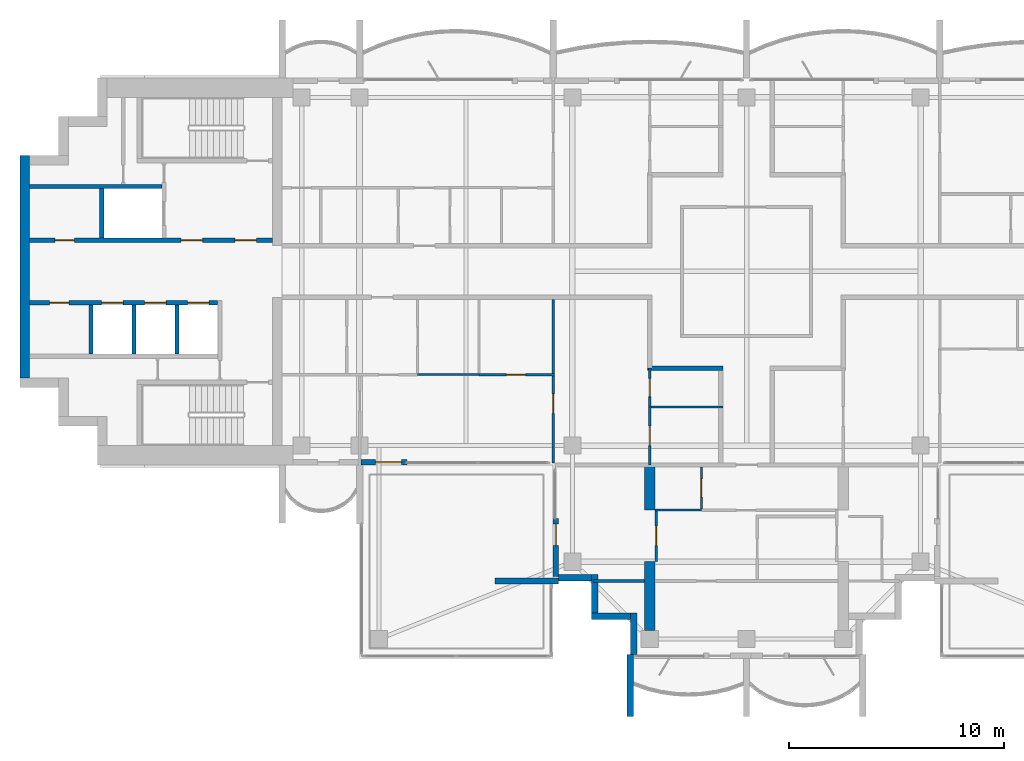
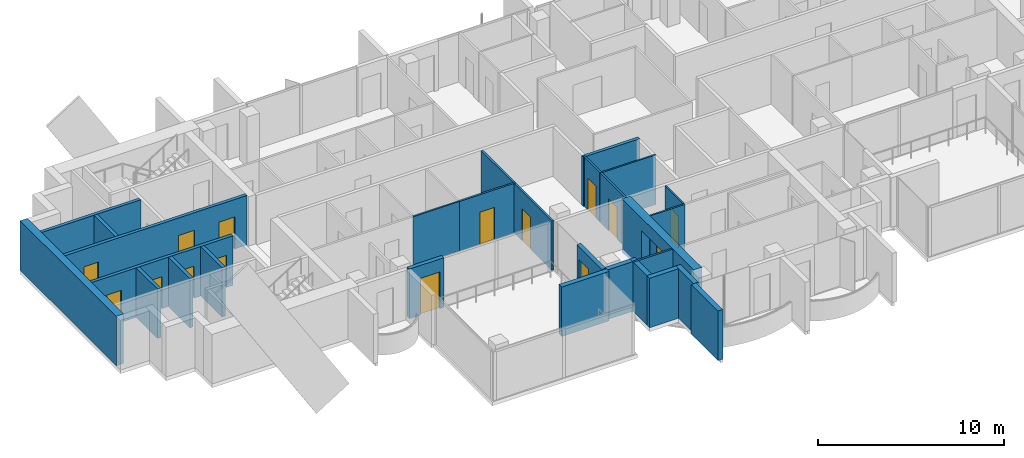
# One storey, part 7 of 16: 28 walls, 15 doors, 15 openings.
"""IFC4 building model written with IfcOpenShell, lengths in metres."""

from ifc_helpers import new_model, si_unit, direction, frame, frame_2d, origin, place, context, subcontext, project, spatial, polyline, rectangle, outline, extrude, material, layer, layer_set, material_profile, profile_set, type_object, element, fill, save


model = new_model("IFC4")

# Units and contexts
model_context = context("Model", 3, precision=1e-05, world=origin(), true_north=direction((0.0, 1.0)))
body_context = subcontext(model_context, "Body", "Model", "MODEL_VIEW")
ifc_project = project(units=[si_unit("LENGTHUNIT", "METRE"), si_unit("AREAUNIT", "SQUARE_METRE"), si_unit("VOLUMEUNIT", "CUBIC_METRE"), si_unit("PLANEANGLEUNIT", "RADIAN"), si_unit("MASSUNIT", "GRAM", prefix="KILO")], contexts=[model_context])

# Site, building, storey
site_placement = place(None, origin())
site = spatial("IfcSite", under=ifc_project, at=site_placement, CompositionType="ELEMENT")
building_placement = place(site_placement, origin())
building = spatial("IfcBuilding", under=site, at=building_placement, Name="Perihelion Cross Residences", CompositionType="ELEMENT")
storey_placement = place(building_placement, frame((0.0, 0.0, 260.5)))
storey = spatial("IfcBuildingStorey", under=building, at=storey_placement, Name="L66", CompositionType="ELEMENT", Elevation=260.5)

# Wall
ifc_material_1 = material(Name="Plasterboard partition")
ifc_layer_1 = layer(ifc_material_1, 0.199951171875)
ifc_layer_set_1 = layer_set([ifc_layer_1], Name="Apartment separation wall 200")
wall_type_1 = type_object("IfcWallType", Name="Apartment separation wall 200", PredefinedType="PARTITIONING", material=ifc_layer_set_1)
wall_1_placement = place(storey_placement, frame((-1.10009765625, -4.5, 0.0), z_axis=(0.0, 0.0, 1.0), x_axis=(-1.0, 0.0, 0.0)))
element("IfcWall", 1, at=wall_1_placement, inside=storey, type_object=wall_type_1, Name="Partition L66 W020", PredefinedType="PARTITIONING", context=body_context, shape_type="SweptSolid", body=[
    extrude(rectangle(XDim=3.5, YDim=0.199951171875, at=frame_2d((1.75, 0.0))), origin(), (0.0, 0.0, 1.0), 3.25),
])

# Wall, opening, door
ifc_material_2 = material(Name="Concrete C30/37, bronze-clad", Category="concrete")
ifc_layer_2 = layer(ifc_material_2, 0.25)
ifc_layer_set_2 = layer_set([ifc_layer_2], Name="Bronze-clad pier wall 250")
wall_type_2 = type_object("IfcWallType", Name="Bronze-clad pier wall 250", PredefinedType="SOLIDWALL", material=ifc_layer_set_2)
wall_2_placement = place(storey_placement, frame((-17.93994140625, -8.875, 0.0), z_axis=(0.0, 0.0, 1.0), x_axis=(1.0, 0.0, 0.0)))
wall_2 = element("IfcWall", 2, at=wall_2_placement, inside=storey, type_object=wall_type_2, Name="Wall FW1 L66 west side south bay 2 pier", PredefinedType="SOLIDWALL", context=body_context, shape_type="SweptSolid", body=[
    extrude(rectangle(XDim=2.139892578125, YDim=0.25, at=frame_2d((1.06982421875, 0.0))), origin(), (0.0, 0.0, 1.0), 3.25),
])
opening_1_placement = place(wall_2_placement, frame((0.68994140625, 0.0, 0.0)))
opening_1 = element("IfcOpeningElement", 3, at=opening_1_placement, cuts=wall_2, Name="Opening L66.E08", PredefinedType="OPENING", context=body_context, shape_type="SweptSolid", body=[
    extrude(rectangle(XDim=1.199951171875, YDim=2.39990234375, at=frame_2d((0.60009765625, 1.199951171875))), frame((0.0, 0.135009765625, 0.0), z_axis=(0.0, -1.0, 0.0), x_axis=(1.0, 0.0, 0.0)), (0.0, 0.0, 1.0), 0.27001953125),
])
ifc_material_3 = material(Name="Bronze anodised aluminium, glazed", Category="aluminium")
door_type_1 = type_object("IfcDoorType", Name="Balcony door 1200 x 2400", OperationType="NOTDEFINED", PredefinedType="DOOR", material=ifc_material_3)
door_1_placement = place(opening_1_placement, origin())
door_1 = element("IfcDoor", 4, at=door_1_placement, inside=storey, type_object=door_type_1, Name="Door L66.E08 west side south bay 2", OperationType="SINGLE_SWING_RIGHT", OverallHeight=2.39990234375, OverallWidth=1.199951171875, PredefinedType="DOOR", context=body_context, shape_type="SweptSolid", body=[
    extrude(rectangle(XDim=1.199951171875, YDim=2.39990234375, at=frame_2d((0.60009765625, 1.199951171875))), frame((0.0, 0.02490234375, 0.0), z_axis=(0.0, -1.0, 0.0), x_axis=(1.0, 0.0, 0.0)), (0.0, 0.0, 1.0), 0.050048828125),
])
fill(opening_1, door_1)

wall_3_placement = place(storey_placement, frame((-8.875, -11.5, 0.0), z_axis=(0.0, 0.0, 1.0), x_axis=(0.0, -1.0, 0.0)))
wall_3 = element("IfcWall", 5, at=wall_3_placement, inside=storey, type_object=wall_type_2, Name="Wall FW1 L66 south side west bay 1 pier", PredefinedType="SOLIDWALL", context=body_context, shape_type="SweptSolid", body=[
    extrude(rectangle(XDim=2.699951171875, YDim=0.25, at=frame_2d((1.35009765625, 0.0))), origin(), (0.0, 0.0, 1.0), 3.25),
])
opening_2_placement = place(wall_3_placement, frame((0.25, 0.0, 0.0)))
opening_2 = element("IfcOpeningElement", 6, at=opening_2_placement, cuts=wall_3, Name="Opening L66.E09", PredefinedType="OPENING", context=body_context, shape_type="SweptSolid", body=[
    extrude(rectangle(XDim=1.0, YDim=2.39990234375, at=frame_2d((0.5, 1.199951171875))), frame((0.0, 0.135009765625, 0.0), z_axis=(0.0, -1.0, 0.0), x_axis=(1.0, 0.0, 0.0)), (0.0, 0.0, 1.0), 0.27001953125),
])
ifc_material_4 = material(Name="Bronze anodised aluminium, glazed", Category="aluminium")
door_type_2 = type_object("IfcDoorType", Name="Balcony door 1000 x 2400", OperationType="NOTDEFINED", PredefinedType="DOOR", material=ifc_material_4)
door_2_placement = place(opening_2_placement, origin())
door_2 = element("IfcDoor", 7, at=door_2_placement, inside=storey, type_object=door_type_2, Name="Door L66.E09 south side west bay 1", OperationType="SINGLE_SWING_LEFT", OverallHeight=2.39990234375, OverallWidth=1.0, PredefinedType="DOOR", context=body_context, shape_type="SweptSolid", body=[
    extrude(rectangle(XDim=1.0, YDim=2.39990234375, at=frame_2d((0.5, 1.199951171875))), frame((0.0, 0.02490234375, 0.0), z_axis=(0.0, -1.0, 0.0), x_axis=(1.0, 0.0, 0.0)), (0.0, 0.0, 1.0), 0.050048828125),
])
fill(opening_2, door_2)

# Walls
ifc_material_5 = material(Name="Concrete C30/37, bronze-clad", Category="concrete")
ifc_layer_3 = layer(ifc_material_5, 0.300048828125)
ifc_layer_set_3 = layer_set([ifc_layer_3], Name="Bronze-clad serration wall 300")
wall_type_3 = type_object("IfcWallType", Name="Bronze-clad serration wall 300", PredefinedType="SOLIDWALL", material=ifc_layer_set_3)
wall_4_placement = place(storey_placement, frame((-8.75, -14.25, 0.0), z_axis=(0.0, 0.0, 1.0), x_axis=(1.0, 0.0, 0.0)))
element("IfcWall", 8, at=wall_4_placement, inside=storey, type_object=wall_type_3, Name="Wall SR1 L66 south corner south-west 1", PredefinedType="SOLIDWALL", context=body_context, shape_type="SweptSolid", body=[
    extrude(rectangle(XDim=1.550048828125, YDim=0.300048828125, at=frame_2d((0.77490234375, 0.0))), origin(), (0.0, 0.0, 1.0), 3.25),
])
wall_5_placement = place(storey_placement, frame((-7.050048828125, -14.10009765625, 0.0), z_axis=(0.0, 0.0, 1.0), x_axis=(0.0, -1.0, 0.0)))
element("IfcWall", 9, at=wall_5_placement, inside=storey, type_object=wall_type_3, Name="Wall SR1 L66 south corner south-west 2", PredefinedType="SOLIDWALL", context=body_context, shape_type="SweptSolid", body=[
    extrude(rectangle(XDim=1.7998046875, YDim=0.300048828125, at=frame_2d((0.89990234375, 0.0))), origin(), (0.0, 0.0, 1.0), 3.25),
])
wall_6_placement = place(storey_placement, frame((-7.199951171875, -16.050048828125, 0.0), z_axis=(0.0, 0.0, 1.0), x_axis=(1.0, 0.0, 0.0)))
element("IfcWall", 10, at=wall_6_placement, inside=storey, type_object=wall_type_3, Name="Wall SR1 L66 south corner south-west 3", PredefinedType="SOLIDWALL", context=body_context, shape_type="SweptSolid", body=[
    extrude(rectangle(XDim=1.800048828125, YDim=0.300048828125, at=frame_2d((0.89990234375, 0.0))), origin(), (0.0, 0.0, 1.0), 3.25),
])
wall_7_placement = place(storey_placement, frame((-5.25, -15.89990234375, 0.0), z_axis=(0.0, 0.0, 1.0), x_axis=(0.0, -1.0, 0.0)))
element("IfcWall", 11, at=wall_7_placement, inside=storey, type_object=wall_type_3, Name="Wall SR1 L66 south corner south-west 4", PredefinedType="SOLIDWALL", context=body_context, shape_type="SweptSolid", body=[
    extrude(rectangle(XDim=1.920166015625, YDim=0.300048828125, at=frame_2d((0.9599609375, 0.0))), origin(), (0.0, 0.0, 1.0), 3.25),
])
ifc_material_6 = material(Name="Concrete C60/75", Category="concrete")
ifc_layer_4 = layer(ifc_material_6, 0.449951171875)
ifc_layer_set_4 = layer_set([ifc_layer_4], Name="Core wall, outer 450")
wall_type_4 = type_object("IfcWallType", Name="Core wall, outer 450", PredefinedType="SHEAR", material=ifc_layer_set_4)
wall_8_placement = place(storey_placement, frame((-33.574951171875, -4.949951171875, 0.0), z_axis=(0.0, 0.0, 1.0), x_axis=(0.0, 1.0, 0.0)))
element("IfcWall", 12, at=wall_8_placement, inside=storey, type_object=wall_type_4, Name="West core core wall, outer", PredefinedType="SHEAR", context=body_context, shape_type="SweptSolid", body=[
    extrude(rectangle(XDim=10.349853515625, YDim=0.449951171875, at=frame_2d((5.1748046875, 0.0))), origin(), (0.0, 0.0, 1.0), 3.25),
])

# Wall, opening, door
ifc_material_7 = material(Name="Plasterboard partition")
ifc_layer_5 = layer(ifc_material_7, 0.1201171875)
ifc_layer_set_5 = layer_set([ifc_layer_5], Name="Infill panel 120")
wall_type_5 = type_object("IfcWallType", Name="Infill panel 120", PredefinedType="PARTITIONING", material=ifc_layer_set_5)
wall_9_placement = place(storey_placement, frame((-4.18994140625, -11.10009765625, 0.0), z_axis=(0.0, 0.0, 1.0), x_axis=(0.0, -1.0, 0.0)))
wall_9 = element("IfcWall", 13, at=wall_9_placement, inside=storey, type_object=wall_type_5, Name="Partition L66 WI02", PredefinedType="PARTITIONING", context=body_context, shape_type="SweptSolid", body=[
    extrude(rectangle(XDim=2.39990234375, YDim=0.1201171875, at=frame_2d((1.199951171875, 0.0))), origin(), (0.0, 0.0, 1.0), 2.39990234375),
])
opening_3_placement = place(wall_9_placement, frame((0.75, 0.0, 0.0)))
opening_3 = element("IfcOpeningElement", 14, at=opening_3_placement, cuts=wall_9, Name="Opening L66.A45", PredefinedType="OPENING", context=body_context, shape_type="SweptSolid", body=[
    extrude(rectangle(XDim=0.89990234375, YDim=2.10009765625, at=frame_2d((0.449951171875, 1.050048828125))), frame((0.0, 0.070068359375, 0.0), z_axis=(0.0, -1.0, 0.0), x_axis=(1.0, 0.0, 0.0)), (0.0, 0.0, 1.0), 0.14013671875),
])
ifc_material_8 = material(Name="Timber door leaf", Category="wood")
door_type_3 = type_object("IfcDoorType", Name="Interior room door 900 x 2100", OperationType="SINGLE_SWING_LEFT", PredefinedType="DOOR", material=ifc_material_8)
door_3_placement = place(opening_3_placement, origin())
door_3 = element("IfcDoor", 15, at=door_3_placement, inside=storey, type_object=door_type_3, Name="Door L66.A45", OperationType="SINGLE_SWING_LEFT", OverallHeight=2.10009765625, OverallWidth=0.89990234375, PredefinedType="DOOR", context=body_context, shape_type="SweptSolid", body=[
    extrude(rectangle(XDim=0.89990234375, YDim=2.10009765625, at=frame_2d((0.449951171875, 1.050048828125))), frame((0.0, 0.02490234375, 0.0), z_axis=(0.0, -1.0, 0.0), x_axis=(1.0, 0.0, 0.0)), (0.0, 0.0, 1.0), 0.050048828125),
])
fill(opening_3, door_3)

ifc_material_9 = material(Name="Plasterboard partition")
ifc_layer_6 = layer(ifc_material_9, 0.1201171875)
ifc_layer_set_6 = layer_set([ifc_layer_6], Name="Partition wall 120")
wall_type_6 = type_object("IfcWallType", Name="Partition wall 120", PredefinedType="PARTITIONING", material=ifc_layer_set_6)
wall_10_placement = place(storey_placement, frame((-8.93994140625, -4.800048828125, 0.0), z_axis=(0.0, 0.0, 1.0), x_axis=(-1.0, 0.0, 0.0)))
wall_10 = element("IfcWall", 16, at=wall_10_placement, inside=storey, type_object=wall_type_6, Name="Partition L66 W055", PredefinedType="PARTITIONING", context=body_context, shape_type="SweptSolid", body=[
    extrude(rectangle(XDim=3.510009765625, YDim=0.1201171875, at=frame_2d((1.7548828125, 0.0))), origin(), (0.0, 0.0, 1.0), 3.25),
])
opening_4_placement = place(wall_10_placement, frame((1.3349609375, 0.0, 0.0)))
opening_4 = element("IfcOpeningElement", 17, at=opening_4_placement, cuts=wall_10, Name="Opening L66.A33", PredefinedType="OPENING", context=body_context, shape_type="SweptSolid", body=[
    extrude(rectangle(XDim=0.89990234375, YDim=2.10009765625, at=frame_2d((0.449951171875, 1.050048828125))), frame((0.0, 0.070068359375, 0.0), z_axis=(0.0, -1.0, 0.0), x_axis=(1.0, 0.0, 0.0)), (0.0, 0.0, 1.0), 0.14013671875),
])
door_4_placement = place(opening_4_placement, origin())
door_4 = element("IfcDoor", 18, at=door_4_placement, inside=storey, type_object=door_type_3, Name="Door L66.A33", OperationType="SINGLE_SWING_RIGHT", OverallHeight=2.10009765625, OverallWidth=0.89990234375, PredefinedType="DOOR", context=body_context, shape_type="SweptSolid", body=[
    extrude(rectangle(XDim=0.89990234375, YDim=2.10009765625, at=frame_2d((0.449951171875, 1.050048828125))), frame((0.0, 0.02490234375, 0.0), z_axis=(0.0, -1.0, 0.0), x_axis=(1.0, 0.0, 0.0)), (0.0, 0.0, 1.0), 0.050048828125),
])
fill(opening_4, door_4)

wall_11_placement = place(storey_placement, frame((-9.0, -1.300048828125, 0.0), z_axis=(0.0, 0.0, 1.0), x_axis=(0.0, -1.0, 0.0)))
wall_11 = element("IfcWall", 19, at=wall_11_placement, inside=storey, type_object=wall_type_6, Name="Partition L66 W056", PredefinedType="PARTITIONING", context=body_context, shape_type="SweptSolid", body=[
    extrude(rectangle(XDim=7.619873046875, YDim=0.1201171875, at=frame_2d((3.81005859375, 0.0))), origin(), (0.0, 0.0, 1.0), 3.25),
])
opening_5_placement = place(wall_11_placement, frame((4.39990234375, 0.0, 0.0)))
opening_5 = element("IfcOpeningElement", 20, at=opening_5_placement, cuts=wall_11, Name="Opening L66.A30", PredefinedType="OPENING", context=body_context, shape_type="SweptSolid", body=[
    extrude(rectangle(XDim=0.89990234375, YDim=2.10009765625, at=frame_2d((0.449951171875, 1.050048828125))), frame((0.0, 0.070068359375, 0.0), z_axis=(0.0, -1.0, 0.0), x_axis=(1.0, 0.0, 0.0)), (0.0, 0.0, 1.0), 0.14013671875),
])
door_5_placement = place(opening_5_placement, origin())
door_5 = element("IfcDoor", 21, at=door_5_placement, inside=storey, type_object=door_type_3, Name="Door L66.A30", OperationType="SINGLE_SWING_RIGHT", OverallHeight=2.10009765625, OverallWidth=0.89990234375, PredefinedType="DOOR", context=body_context, shape_type="SweptSolid", body=[
    extrude(rectangle(XDim=0.89990234375, YDim=2.10009765625, at=frame_2d((0.449951171875, 1.050048828125))), frame((0.0, 0.02490234375, 0.0), z_axis=(0.0, -1.0, 0.0), x_axis=(1.0, 0.0, 0.0)), (0.0, 0.0, 1.0), 0.050048828125),
])
fill(opening_5, door_5)

wall_12_placement = place(storey_placement, frame((-4.5, -6.300048828125, 0.0), z_axis=(0.0, 0.0, 1.0), x_axis=(0.0, -1.0, 0.0)))
wall_12 = element("IfcWall", 22, at=wall_12_placement, inside=storey, type_object=wall_type_6, Name="Partition L66 W063", PredefinedType="PARTITIONING", context=body_context, shape_type="SweptSolid", body=[
    extrude(rectangle(XDim=2.699951171875, YDim=0.1201171875, at=frame_2d((1.35009765625, 0.0))), origin(), (0.0, 0.0, 1.0), 3.25),
])
opening_6_placement = place(wall_12_placement, frame((0.89990234375, 0.0, 0.0)))
opening_6 = element("IfcOpeningElement", 23, at=opening_6_placement, cuts=wall_12, Name="Opening L66.A31", PredefinedType="OPENING", context=body_context, shape_type="SweptSolid", body=[
    extrude(rectangle(XDim=0.89990234375, YDim=2.10009765625, at=frame_2d((0.449951171875, 1.050048828125))), frame((0.0, 0.070068359375, 0.0), z_axis=(0.0, -1.0, 0.0), x_axis=(1.0, 0.0, 0.0)), (0.0, 0.0, 1.0), 0.14013671875),
])
door_6_placement = place(opening_6_placement, origin())
door_6 = element("IfcDoor", 24, at=door_6_placement, inside=storey, type_object=door_type_3, Name="Door L66.A31", OperationType="SINGLE_SWING_RIGHT", OverallHeight=2.10009765625, OverallWidth=0.89990234375, PredefinedType="DOOR", context=body_context, shape_type="SweptSolid", body=[
    extrude(rectangle(XDim=0.89990234375, YDim=2.10009765625, at=frame_2d((0.449951171875, 1.050048828125))), frame((0.0, 0.02490234375, 0.0), z_axis=(0.0, -1.0, 0.0), x_axis=(1.0, 0.0, 0.0)), (0.0, 0.0, 1.0), 0.050048828125),
])
fill(opening_6, door_6)

# Walls
wall_13_placement = place(storey_placement, frame((-4.75, -14.39990234375, 0.0), z_axis=(0.0, 0.0, 1.0), x_axis=(-1.0, 0.0, 0.0)))
element("IfcWall", 25, at=wall_13_placement, inside=storey, type_object=wall_type_6, Name="Partition L66 W075", PredefinedType="PARTITIONING", context=body_context, shape_type="SweptSolid", body=[
    extrude(rectangle(XDim=2.3701171875, YDim=0.1201171875, at=frame_2d((1.18505859375, 0.0))), origin(), (0.0, 0.0, 1.0), 3.25),
])
ifc_material_10 = material(Name="Precast concrete C50/60", Category="concrete")
ifc_layer_7 = layer(ifc_material_10, 0.300048828125)
ifc_layer_set_7 = layer_set([ifc_layer_7], Name="Precast concrete C50/60 blade wall 300")
wall_type_7 = type_object("IfcWallType", Name="Precast concrete C50/60 blade wall 300", PredefinedType="SOLIDWALL", material=ifc_layer_set_7)
wall_14_placement = place(storey_placement, frame((-8.75, -14.39990234375, 0.0), z_axis=(0.0, 0.0, 1.0), x_axis=(-1.0, 0.0, 0.0)))
element("IfcWall", 26, at=wall_14_placement, inside=storey, type_object=wall_type_7, Name="Wall BL1 L66 no. 6", PredefinedType="SOLIDWALL", context=body_context, shape_type="SweptSolid", body=[
    extrude(rectangle(XDim=2.949951171875, YDim=0.300048828125, at=frame_2d((1.47509765625, 0.0))), origin(), (0.0, 0.0, 1.0), 3.25),
])
wall_15_placement = place(storey_placement, frame((-5.39990234375, -17.820068359375, 0.0), z_axis=(0.0, 0.0, 1.0), x_axis=(0.0, -1.0, 0.0)))
element("IfcWall", 27, at=wall_15_placement, inside=storey, type_object=wall_type_7, Name="Wall BL1 L66 no. 5", PredefinedType="SOLIDWALL", context=body_context, shape_type="SweptSolid", body=[
    extrude(rectangle(XDim=2.8798828125, YDim=0.300048828125, at=frame_2d((1.43994140625, 0.0))), origin(), (0.0, 0.0, 1.0), 3.25),
])

# Wall, openings, doors
ifc_material_11 = material(Name="Concrete C50/60", Category="concrete")
ifc_layer_8 = layer(ifc_material_11, 0.199951171875)
ifc_layer_set_8 = layer_set([ifc_layer_8], Name="Shaft wall 200")
wall_type_8 = type_object("IfcWallType", Name="Shaft wall 200", PredefinedType="SOLIDWALL", material=ifc_layer_set_8)
wall_16_placement = place(storey_placement, frame((-33.35009765625, 1.449951171875, 0.0), z_axis=(0.0, 0.0, 1.0), x_axis=(1.0, 0.0, 0.0)))
wall_16 = element("IfcWall", 28, at=wall_16_placement, inside=storey, type_object=wall_type_8, Name="West core shaft wall", PredefinedType="SOLIDWALL", context=body_context, shape_type="SweptSolid", body=[
    extrude(rectangle(XDim=11.300048828125, YDim=0.199951171875, at=frame_2d((5.64990234375, 0.0))), origin(), (0.0, 0.0, 1.0), 3.25),
])
opening_7_placement = place(wall_16_placement, frame((9.550048828125, 0.0, 0.0)))
opening_7 = element("IfcOpeningElement", 29, at=opening_7_placement, cuts=wall_16, Name="Opening L66.C21", PredefinedType="OPENING", context=body_context, shape_type="SweptSolid", body=[
    extrude(rectangle(XDim=1.0, YDim=2.10009765625, at=frame_2d((0.5, 1.050048828125))), frame((0.0, 0.10986328125, 0.0), z_axis=(0.0, -1.0, 0.0), x_axis=(1.0, 0.0, 0.0)), (0.0, 0.0, 1.0), 0.219970703125),
])
opening_8_placement = place(wall_16_placement, frame((7.050048828125, 0.0, 0.0)))
opening_8 = element("IfcOpeningElement", 30, at=opening_8_placement, cuts=wall_16, Name="Opening L66.C23", PredefinedType="OPENING", context=body_context, shape_type="SweptSolid", body=[
    extrude(rectangle(XDim=1.0, YDim=2.10009765625, at=frame_2d((0.5, 1.050048828125))), frame((0.0, 0.10986328125, 0.0), z_axis=(0.0, -1.0, 0.0), x_axis=(1.0, 0.0, 0.0)), (0.0, 0.0, 1.0), 0.219970703125),
])
opening_9_placement = place(wall_16_placement, frame((1.175048828125, 0.0, 0.0)))
opening_9 = element("IfcOpeningElement", 31, at=opening_9_placement, cuts=wall_16, Name="Opening L66.C27", PredefinedType="OPENING", context=body_context, shape_type="SweptSolid", body=[
    extrude(rectangle(XDim=0.89990234375, YDim=2.10009765625, at=frame_2d((0.449951171875, 1.050048828125))), frame((0.0, 0.10986328125, 0.0), z_axis=(0.0, -1.0, 0.0), x_axis=(1.0, 0.0, 0.0)), (0.0, 0.0, 1.0), 0.219970703125),
])
ifc_material_12 = material(Name="Steel, powder coated", Category="steel")
door_type_4 = type_object("IfcDoorType", Name="Lobby door 1000", OperationType="SINGLE_SWING_LEFT", PredefinedType="DOOR", material=ifc_material_12)
door_7_placement = place(opening_7_placement, origin())
door_7 = element("IfcDoor", 32, at=door_7_placement, inside=storey, type_object=door_type_4, Name="West core firefighting lobby door", OperationType="SINGLE_SWING_LEFT", OverallHeight=2.10009765625, OverallWidth=1.0, PredefinedType="DOOR", context=body_context, shape_type="SweptSolid", body=[
    extrude(rectangle(XDim=1.0, YDim=2.10009765625, at=frame_2d((0.5, 1.050048828125))), frame((0.0, 0.02490234375, 0.0), z_axis=(0.0, -1.0, 0.0), x_axis=(1.0, 0.0, 0.0)), (0.0, 0.0, 1.0), 0.050048828125),
])
fill(opening_7, door_7)
door_8_placement = place(opening_8_placement, origin())
door_8 = element("IfcDoor", 33, at=door_8_placement, inside=storey, type_object=door_type_4, Name="West core firefighting lobby door", OperationType="SINGLE_SWING_LEFT", OverallHeight=2.10009765625, OverallWidth=1.0, PredefinedType="DOOR", context=body_context, shape_type="SweptSolid", body=[
    extrude(rectangle(XDim=1.0, YDim=2.10009765625, at=frame_2d((0.5, 1.050048828125))), frame((0.0, 0.02490234375, 0.0), z_axis=(0.0, -1.0, 0.0), x_axis=(1.0, 0.0, 0.0)), (0.0, 0.0, 1.0), 0.050048828125),
])
fill(opening_8, door_8)
ifc_material_13 = material(Name="Steel, powder coated", Category="steel")
door_type_5 = type_object("IfcDoorType", Name="Service room door 900", OperationType="SINGLE_SWING_LEFT", PredefinedType="DOOR", material=ifc_material_13)
door_9_placement = place(opening_9_placement, origin())
door_9 = element("IfcDoor", 34, at=door_9_placement, inside=storey, type_object=door_type_5, Name="West core service room door", OperationType="SINGLE_SWING_LEFT", OverallHeight=2.10009765625, OverallWidth=0.89990234375, PredefinedType="DOOR", context=body_context, shape_type="SweptSolid", body=[
    extrude(rectangle(XDim=0.89990234375, YDim=2.10009765625, at=frame_2d((0.449951171875, 1.050048828125))), frame((0.0, 0.02490234375, 0.0), z_axis=(0.0, -1.0, 0.0), x_axis=(1.0, 0.0, 0.0)), (0.0, 0.0, 1.0), 0.050048828125),
])
fill(opening_9, door_9)

wall_17_placement = place(storey_placement, frame((-33.35009765625, -1.449951171875, 0.0), z_axis=(0.0, 0.0, 1.0), x_axis=(1.0, 0.0, 0.0)))
wall_17 = element("IfcWall", 35, at=wall_17_placement, inside=storey, type_object=wall_type_8, Name="West core shaft wall", PredefinedType="SOLIDWALL", context=body_context, shape_type="SweptSolid", body=[
    extrude(rectangle(XDim=8.75, YDim=0.199951171875, at=frame_2d((4.375, 0.0))), origin(), (0.0, 0.0, 1.0), 3.25),
])
opening_10_placement = place(wall_17_placement, frame((7.35009765625, 0.0, 0.0)))
opening_10 = element("IfcOpeningElement", 36, at=opening_10_placement, cuts=wall_17, Name="Opening L66.C15", PredefinedType="OPENING", context=body_context, shape_type="SweptSolid", body=[
    extrude(rectangle(XDim=1.0, YDim=2.10009765625, at=frame_2d((0.5, 1.050048828125))), frame((0.0, 0.10986328125, 0.0), z_axis=(0.0, -1.0, 0.0), x_axis=(1.0, 0.0, 0.0)), (0.0, 0.0, 1.0), 0.219970703125),
])
opening_11_placement = place(wall_17_placement, frame((5.35009765625, 0.0, 0.0)))
opening_11 = element("IfcOpeningElement", 37, at=opening_11_placement, cuts=wall_17, Name="Opening L66.C17", PredefinedType="OPENING", context=body_context, shape_type="SweptSolid", body=[
    extrude(rectangle(XDim=1.0, YDim=2.10009765625, at=frame_2d((0.5, 1.050048828125))), frame((0.0, 0.10986328125, 0.0), z_axis=(0.0, -1.0, 0.0), x_axis=(1.0, 0.0, 0.0)), (0.0, 0.0, 1.0), 0.219970703125),
])
opening_12_placement = place(wall_17_placement, frame((3.35009765625, 0.0, 0.0)))
opening_12 = element("IfcOpeningElement", 38, at=opening_12_placement, cuts=wall_17, Name="Opening L66.C18", PredefinedType="OPENING", context=body_context, shape_type="SweptSolid", body=[
    extrude(rectangle(XDim=1.0, YDim=2.10009765625, at=frame_2d((0.5, 1.050048828125))), frame((0.0, 0.10986328125, 0.0), z_axis=(0.0, -1.0, 0.0), x_axis=(1.0, 0.0, 0.0)), (0.0, 0.0, 1.0), 0.219970703125),
])
opening_13_placement = place(wall_17_placement, frame((0.925048828125, 0.0, 0.0)))
opening_13 = element("IfcOpeningElement", 39, at=opening_13_placement, cuts=wall_17, Name="Opening L66.C28", PredefinedType="OPENING", context=body_context, shape_type="SweptSolid", body=[
    extrude(rectangle(XDim=0.89990234375, YDim=2.10009765625, at=frame_2d((0.449951171875, 1.050048828125))), frame((0.0, 0.10986328125, 0.0), z_axis=(0.0, -1.0, 0.0), x_axis=(1.0, 0.0, 0.0)), (0.0, 0.0, 1.0), 0.219970703125),
])
ifc_material_14 = material(Name="Stainless steel", Category="steel")
door_type_6 = type_object("IfcDoorType", Name="Landing door 1000", OperationType="DOUBLE_DOOR_SLIDING", PredefinedType="DOOR", material=ifc_material_14)
door_10_placement = place(opening_10_placement, origin())
door_10 = element("IfcDoor", 40, at=door_10_placement, inside=storey, type_object=door_type_6, Name="Landing door, West core high-rise lift 1", OperationType="DOUBLE_DOOR_SLIDING", OverallHeight=2.10009765625, OverallWidth=1.0, PredefinedType="DOOR", context=body_context, shape_type="SweptSolid", body=[
    extrude(rectangle(XDim=1.0, YDim=2.10009765625, at=frame_2d((0.5, 1.050048828125))), frame((0.0, 0.02490234375, 0.0), z_axis=(0.0, -1.0, 0.0), x_axis=(1.0, 0.0, 0.0)), (0.0, 0.0, 1.0), 0.050048828125),
])
fill(opening_10, door_10)
door_11_placement = place(opening_11_placement, origin())
door_11 = element("IfcDoor", 41, at=door_11_placement, inside=storey, type_object=door_type_6, Name="Landing door, West core high-rise lift 2", OperationType="DOUBLE_DOOR_SLIDING", OverallHeight=2.10009765625, OverallWidth=1.0, PredefinedType="DOOR", context=body_context, shape_type="SweptSolid", body=[
    extrude(rectangle(XDim=1.0, YDim=2.10009765625, at=frame_2d((0.5, 1.050048828125))), frame((0.0, 0.02490234375, 0.0), z_axis=(0.0, -1.0, 0.0), x_axis=(1.0, 0.0, 0.0)), (0.0, 0.0, 1.0), 0.050048828125),
])
fill(opening_11, door_11)
door_12_placement = place(opening_12_placement, origin())
door_12 = element("IfcDoor", 42, at=door_12_placement, inside=storey, type_object=door_type_6, Name="Landing door, West core high-rise lift 3", OperationType="DOUBLE_DOOR_SLIDING", OverallHeight=2.10009765625, OverallWidth=1.0, PredefinedType="DOOR", context=body_context, shape_type="SweptSolid", body=[
    extrude(rectangle(XDim=1.0, YDim=2.10009765625, at=frame_2d((0.5, 1.050048828125))), frame((0.0, 0.02490234375, 0.0), z_axis=(0.0, -1.0, 0.0), x_axis=(1.0, 0.0, 0.0)), (0.0, 0.0, 1.0), 0.050048828125),
])
fill(opening_12, door_12)
door_13_placement = place(opening_13_placement, origin())
door_13 = element("IfcDoor", 43, at=door_13_placement, inside=storey, type_object=door_type_5, Name="West core service room door", OperationType="SINGLE_SWING_LEFT", OverallHeight=2.10009765625, OverallWidth=0.89990234375, PredefinedType="DOOR", context=body_context, shape_type="SweptSolid", body=[
    extrude(rectangle(XDim=0.89990234375, YDim=2.10009765625, at=frame_2d((0.449951171875, 1.050048828125))), frame((0.0, 0.02490234375, 0.0), z_axis=(0.0, -1.0, 0.0), x_axis=(1.0, 0.0, 0.0)), (0.0, 0.0, 1.0), 0.050048828125),
])
fill(opening_13, door_13)

# Walls
wall_18_placement = place(storey_placement, frame((-33.35009765625, 3.949951171875, 0.0), z_axis=(0.0, 0.0, 1.0), x_axis=(1.0, 0.0, 0.0)))
element("IfcWall", 44, at=wall_18_placement, inside=storey, type_object=wall_type_8, Name="West core shaft wall", PredefinedType="SOLIDWALL", context=body_context, shape_type="SweptSolid", body=[
    extrude(rectangle(XDim=6.150146484375, YDim=0.199951171875, at=frame_2d((3.0751953125, 0.0))), origin(), (0.0, 0.0, 1.0), 3.25),
])
for number, where, z_axis, x_axis, name in (
    (45, (-30.0, 1.550048828125, 0.0), (0.0, 0.0, 1.0), (0.0, 1.0, 0.0), "West core shaft wall"),
    (46, (-26.5, -3.85009765625, 0.0), (0.0, 0.0, 1.0), (0.0, 1.0, 0.0), "West core shaft wall"),
    (47, (-28.5, -3.85009765625, 0.0), (0.0, 0.0, 1.0), (0.0, 1.0, 0.0), "West core shaft wall"),
    (48, (-30.5, -3.85009765625, 0.0), (0.0, 0.0, 1.0), (0.0, 1.0, 0.0), "West core shaft wall"),
):
    element("IfcWall", number, at=place(storey_placement, frame(where, z_axis=z_axis, x_axis=x_axis)), inside=storey, type_object=wall_type_8, Name=name, PredefinedType="SOLIDWALL", context=body_context, shape_type="SweptSolid", body=[
        extrude(rectangle(XDim=2.300048828125, YDim=0.199951171875, at=frame_2d((1.14990234375, 0.0))), origin(), (0.0, 0.0, 1.0), 3.25),
    ])
ifc_material_15 = material(Name="Concrete C50/60", Category="concrete")
ifc_material_profile = material_profile(ifc_material_15, outline(polyline([(0.0, 0.0), (3.199951171875, 0.0), (3.199951171875, 2.64990234375), (5.60009765625, 2.64990234375), (5.60009765625, 0.0), (7.699951171875, 0.0), (7.699951171875, 3.5), (0.0, 3.5), (0.0, 0.0)])), Name="Tip spine wall")
ifc_profile_set = profile_set([ifc_material_profile], Name="Concrete C50/60")
wall_type_9 = type_object("IfcWallType", Name="Tip spine wall 500 with 1 door openings 7700 long 3500 high concrete C50/60", PredefinedType="SHEAR", material=ifc_profile_set)
wall_19_placement = place(storey_placement, frame((-4.75, -16.699951171875, -0.25), z_axis=(1.0, 0.0, 0.0), x_axis=(0.0, 1.0, 0.0)))
element("IfcWall", 49, at=wall_19_placement, inside=storey, type_object=wall_type_9, Name="Shear wall SW45 L66 south west", PredefinedType="SHEAR", context=body_context, shape_type="SweptSolid", body=[
    extrude(outline(polyline([(0.0, 0.0), (3.199951171875, 0.0), (3.199951171875, 2.64990234375), (5.60009765625, 2.64990234375), (5.60009765625, 0.0), (7.699951171875, 0.0), (7.699951171875, 3.5), (0.0, 3.5), (0.0, 0.0)])), origin(), (0.0, 0.0, 1.0), 0.5),
])
ifc_material_16 = material(Name="Plasterboard partition")
ifc_layer_9 = layer(ifc_material_16, 0.10009765625)
ifc_layer_set_9 = layer_set([ifc_layer_9], Name="Wet room wall 100")
wall_type_10 = type_object("IfcWallType", Name="Wet room wall 100", PredefinedType="PARTITIONING", material=ifc_layer_set_9)
wall_20_placement = place(storey_placement, frame((-12.449951171875, -4.800048828125, 0.0), z_axis=(0.0, 0.0, 1.0), x_axis=(-1.0, 0.0, 0.0)))
element("IfcWall", 50, at=wall_20_placement, inside=storey, type_object=wall_type_10, Name="Partition L66 W058", PredefinedType="PARTITIONING", context=body_context, shape_type="SweptSolid", body=[
    extrude(rectangle(XDim=2.85009765625, YDim=0.10009765625, at=frame_2d((1.425048828125, 0.0))), origin(), (0.0, 0.0, 1.0), 3.25),
])

# Wall, opening, door
wall_21_placement = place(storey_placement, frame((-4.5, -4.5, 0.0), z_axis=(0.0, 0.0, 1.0), x_axis=(0.0, -1.0, 0.0)))
wall_21 = element("IfcWall", 51, at=wall_21_placement, inside=storey, type_object=wall_type_10, Name="Partition L66 W062", PredefinedType="PARTITIONING", context=body_context, shape_type="SweptSolid", body=[
    extrude(rectangle(XDim=1.800048828125, YDim=0.10009765625, at=frame_2d((0.89990234375, 0.0))), origin(), (0.0, 0.0, 1.0), 3.25),
])
opening_14_placement = place(wall_21_placement, frame((0.47509765625, 0.0, 0.0)))
opening_14 = element("IfcOpeningElement", 52, at=opening_14_placement, cuts=wall_21, Name="Opening L66.A32", PredefinedType="OPENING", context=body_context, shape_type="SweptSolid", body=[
    extrude(rectangle(XDim=0.85009765625, YDim=2.10009765625, at=frame_2d((0.425048828125, 1.050048828125))), frame((0.0, 0.06005859375, 0.0), z_axis=(0.0, -1.0, 0.0), x_axis=(1.0, 0.0, 0.0)), (0.0, 0.0, 1.0), 0.1201171875),
])
ifc_material_17 = material(Name="Timber door leaf", Category="wood")
door_type_7 = type_object("IfcDoorType", Name="Interior bathroom door 850 x 2100", OperationType="SINGLE_SWING_LEFT", PredefinedType="DOOR", material=ifc_material_17)
door_14_placement = place(opening_14_placement, origin())
door_14 = element("IfcDoor", 53, at=door_14_placement, inside=storey, type_object=door_type_7, Name="Door L66.A32", OperationType="SINGLE_SWING_RIGHT", OverallHeight=2.10009765625, OverallWidth=0.85009765625, PredefinedType="DOOR", context=body_context, shape_type="SweptSolid", body=[
    extrude(rectangle(XDim=0.85009765625, YDim=2.10009765625, at=frame_2d((0.425048828125, 1.050048828125))), frame((0.0, 0.02490234375, 0.0), z_axis=(0.0, -1.0, 0.0), x_axis=(1.0, 0.0, 0.0)), (0.0, 0.0, 1.0), 0.050048828125),
])
fill(opening_14, door_14)

# Wall
wall_22_placement = place(storey_placement, frame((-1.10009765625, -6.300048828125, 0.0), z_axis=(0.0, 0.0, 1.0), x_axis=(-1.0, 0.0, 0.0)))
element("IfcWall", 54, at=wall_22_placement, inside=storey, type_object=wall_type_10, Name="Partition L66 W064", PredefinedType="PARTITIONING", context=body_context, shape_type="SweptSolid", body=[
    extrude(rectangle(XDim=3.4599609375, YDim=0.10009765625, at=frame_2d((1.72998046875, 0.0))), origin(), (0.0, 0.0, 1.0), 3.25),
])

# Wall, opening, door
wall_23_placement = place(storey_placement, frame((-2.10009765625, -11.0400390625, 0.0), z_axis=(0.0, 0.0, 1.0), x_axis=(0.0, 1.0, 0.0)))
wall_23 = element("IfcWall", 55, at=wall_23_placement, inside=storey, type_object=wall_type_10, Name="Partition L66 W065", PredefinedType="PARTITIONING", context=body_context, shape_type="SweptSolid", body=[
    extrude(rectangle(XDim=1.93994140625, YDim=0.10009765625, at=frame_2d((0.969970703125, 0.0))), origin(), (0.0, 0.0, 1.0), 3.25),
])
opening_15_placement = place(wall_23_placement, frame((0.544921875, 0.0, 0.0)))
opening_15 = element("IfcOpeningElement", 56, at=opening_15_placement, cuts=wall_23, Name="Opening L66.A35", PredefinedType="OPENING", context=body_context, shape_type="SweptSolid", body=[
    extrude(rectangle(XDim=0.85009765625, YDim=2.10009765625, at=frame_2d((0.425048828125, 1.050048828125))), frame((0.0, 0.06005859375, 0.0), z_axis=(0.0, -1.0, 0.0), x_axis=(1.0, 0.0, 0.0)), (0.0, 0.0, 1.0), 0.1201171875),
])
door_15_placement = place(opening_15_placement, origin())
door_15 = element("IfcDoor", 57, at=door_15_placement, inside=storey, type_object=door_type_7, Name="Door L66.A35", OperationType="SINGLE_SWING_LEFT", OverallHeight=2.10009765625, OverallWidth=0.85009765625, PredefinedType="DOOR", context=body_context, shape_type="SweptSolid", body=[
    extrude(rectangle(XDim=0.85009765625, YDim=2.10009765625, at=frame_2d((0.425048828125, 1.050048828125))), frame((0.0, 0.02490234375, 0.0), z_axis=(0.0, -1.0, 0.0), x_axis=(1.0, 0.0, 0.0)), (0.0, 0.0, 1.0), 0.050048828125),
])
fill(opening_15, door_15)

# Wall
wall_24_placement = place(storey_placement, frame((-2.10009765625, -11.10009765625, 0.0), z_axis=(0.0, 0.0, 1.0), x_axis=(-1.0, 0.0, 0.0)))
element("IfcWall", 58, at=wall_24_placement, inside=storey, type_object=wall_type_10, Name="Partition L66 W067", PredefinedType="PARTITIONING", context=body_context, shape_type="SweptSolid", body=[
    extrude(rectangle(XDim=2.14990234375, YDim=0.10009765625, at=frame_2d((1.074951171875, 0.0))), origin(), (0.0, 0.0, 1.0), 3.25),
])

save(model, "model.ifc")
